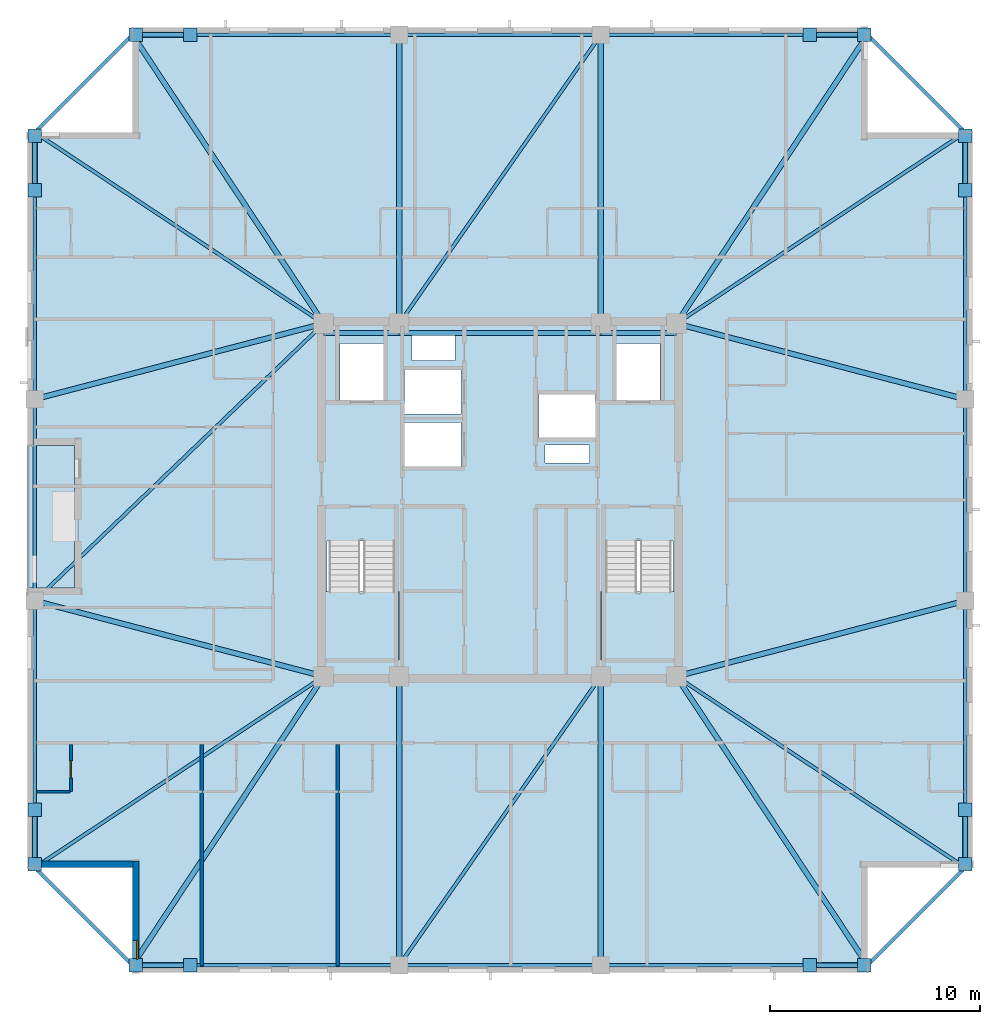
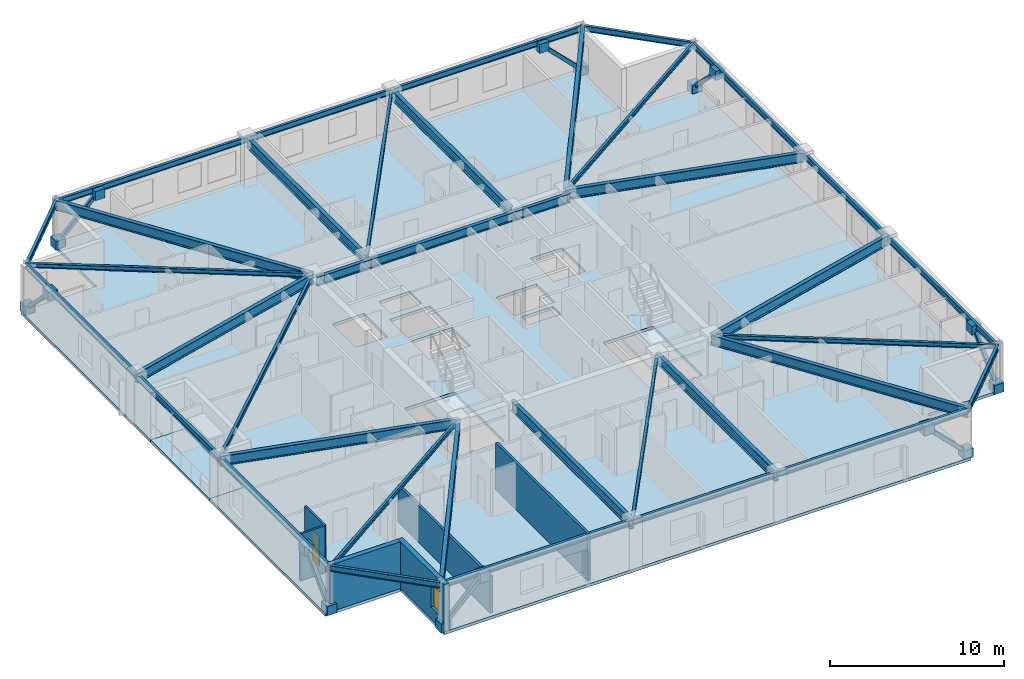
# One storey, part 6 of 17: 38 beams, 16 plates, 8 members, 6 walls, 4 slabs, 1 door, 1 window, 2 openings, 2 elements without a shape of their own.
"""IFC4 building model written with IfcOpenShell, lengths in metres."""

from ifc_helpers import new_model, si_unit, direction, frame, frame_2d, origin, origin_2d, place, context, subcontext, project, spatial, polyline, rectangle, hollow_rectangle, i_section, outline, extrude, material, layer, layer_set, material_profile, profile_set, type_object, element, fill, aggregate, save


model = new_model("IFC4")

# Units and contexts
model_context = context("Model", 3, precision=1e-05, world=origin(), true_north=direction((0.0, 1.0)))
body_context = subcontext(model_context, "Body", "Model", "MODEL_VIEW")
ifc_project = project(units=[si_unit("LENGTHUNIT", "METRE"), si_unit("AREAUNIT", "SQUARE_METRE"), si_unit("VOLUMEUNIT", "CUBIC_METRE"), si_unit("PLANEANGLEUNIT", "RADIAN"), si_unit("MASSUNIT", "GRAM", prefix="KILO")], contexts=[model_context])

# Site, building, storey
site_placement = place(None, origin())
site = spatial("IfcSite", under=ifc_project, at=site_placement, CompositionType="ELEMENT")
building_placement = place(site_placement, origin())
building = spatial("IfcBuilding", under=site, at=building_placement, Name="Cairnveth Concourse Tower", CompositionType="ELEMENT")
storey_placement = place(building_placement, frame((0.0, 0.0, 237.5)))
storey = spatial("IfcBuildingStorey", under=building, at=storey_placement, Name="L65", CompositionType="ELEMENT", Elevation=237.5)

# Beams
ifc_material_1 = material(Name="Steel Grade 350", Category="steel")
ifc_material_profile_1 = material_profile(ifc_material_1, i_section(OverallWidth=0.22802734375, OverallDepth=0.60693359375, WebThickness=0.01123046875, FlangeThickness=0.017333984375, FilletRadius=0.013916015625, at=origin_2d()), Name="610UB113")
ifc_profile_set_1 = profile_set([ifc_material_profile_1], Name="Steel Grade 350")
beam_type_1 = type_object("IfcBeamType", Name="CORE TIE BEAM 610UB113", PredefinedType="T_BEAM", material=ifc_profile_set_1)
for number, where, z_axis, x_axis, name in (
    (1, (43.60009765625, 46.949951171875, 2.986572265625), (1.0, 0.0, 0.0), (0.0, 1.0, 0.0), "Beam CT-N1 L65"),
    (2, (56.800048828125, 46.949951171875, 2.986572265625), (1.0, 0.0, 0.0), (0.0, 1.0, 0.0), "Beam CT-N3 L65"),
):
    element("IfcBeam", number, at=place(storey_placement, frame(where, z_axis=z_axis, x_axis=x_axis)), inside=storey, type_object=beam_type_1, Name=name, PredefinedType="T_BEAM", context=body_context, shape_type="SweptSolid", body=[
        extrude(i_section(OverallWidth=0.22802734375, OverallDepth=0.60693359375, WebThickness=0.01123046875, FlangeThickness=0.017333984375, FilletRadius=0.013916015625, at=origin_2d()), origin(), (0.0, 0.0, 1.0), 3.599853515625),
    ])
beam_1_placement = place(storey_placement, frame((47.199951171875, 46.949951171875, 2.986572265625), z_axis=(1.0, 0.0, 0.0), x_axis=(0.0, 1.0, 0.0)))
element("IfcBeam", 3, at=beam_1_placement, inside=storey, type_object=beam_type_1, Name="Beam CT-N2 L65", PredefinedType="T_BEAM", context=body_context, shape_type="SweptSolid", body=[
    extrude(i_section(OverallWidth=0.22802734375, OverallDepth=0.60693359375, WebThickness=0.01123046875, FlangeThickness=0.017333984375, FilletRadius=0.013916015625, at=origin_2d()), origin(), (0.0, 0.0, 1.0), 9.60009765625),
])
ifc_material_profile_2 = material_profile(ifc_material_1, i_section(OverallWidth=0.166015625, OverallDepth=0.306884765625, WebThickness=0.006591796875, FlangeThickness=0.01171875, FilletRadius=0.010986328125, at=origin_2d()), Name="310UB46.2")
ifc_profile_set_2 = profile_set([ifc_material_profile_2], Name="Steel Grade 350")
beam_type_2 = type_object("IfcBeamType", Name="ZONE 3 FLOOR JOIST 310UB46.2", PredefinedType="JOIST", material=ifc_profile_set_2)
for number, where, z_axis, x_axis, name in (
    (4, (29.85009765625, 21.5, 3.136474609375), (0.833908956207, 0.551902031848, 0.0), (-0.551902031848, 0.833908956207, 0.0), "Beam FJ-CSW2 L65"),
    (5, (74.14990234375, 21.5, 3.136474609375), (-0.833908956207, 0.551902031848, 0.0), (-0.551902031848, -0.833908956207, 0.0), "Beam FJ-CSE2 L65"),
    (6, (74.14990234375, 56.5, 3.136474609375), (-0.833908956207, -0.551902031848, 0.0), (0.551902031848, -0.833908956207, 0.0), "Beam FJ-CNE2 L65"),
    (7, (29.85009765625, 56.5, 3.136474609375), (0.833908956207, -0.551902031848, 0.0), (0.551902031848, 0.833908956207, 0.0), "Beam FJ-CNW2 L65"),
):
    element("IfcBeam", number, at=place(storey_placement, frame(where, z_axis=z_axis, x_axis=x_axis)), inside=storey, type_object=beam_type_2, Name=name, PredefinedType="JOIST", context=body_context, shape_type="SweptSolid", body=[
        extrude(i_section(OverallWidth=0.166015625, OverallDepth=0.306884765625, WebThickness=0.006591796875, FlangeThickness=0.01171875, FilletRadius=0.010986328125, at=origin_2d()), origin(), (0.0, 0.0, 1.0), 16.488525390625),
    ])
for number, where, z_axis, x_axis, name in (
    (8, (47.199951171875, 16.85009765625, 3.136474609375), (0.572465304893, 0.819928944905, 0.0), (-0.819928944905, 0.572465304893, 0.0), "Beam FJ-S-M1 L65"),
    (9, (47.199951171875, 47.39990234375, 3.136474609375), (0.572465304893, 0.819928944905, 0.0), (-0.819928944905, 0.572465304893, 0.0), "Beam FJ-N-M1 L65"),
):
    element("IfcBeam", number, at=place(storey_placement, frame(where, z_axis=z_axis, x_axis=x_axis)), inside=storey, type_object=beam_type_2, Name=name, PredefinedType="JOIST", context=body_context, shape_type="SweptSolid", body=[
        extrude(i_section(OverallWidth=0.166015625, OverallDepth=0.306884765625, WebThickness=0.006591796875, FlangeThickness=0.01171875, FilletRadius=0.010986328125, at=origin_2d()), origin(), (0.0, 0.0, 1.0), 16.769775390625),
    ])
beam_2_placement = place(storey_placement, frame((29.85009765625, 34.199951171875, 3.136474609375), z_axis=(0.721388600838, 0.692530495055, 0.0), x_axis=(-0.692530495055, 0.721388600838, 0.0)))
element("IfcBeam", 10, at=beam_2_placement, inside=storey, type_object=beam_type_2, Name="Beam FJ-W-M1 L65", PredefinedType="JOIST", context=body_context, shape_type="SweptSolid", body=[
    extrude(i_section(OverallWidth=0.166015625, OverallDepth=0.306884765625, WebThickness=0.006591796875, FlangeThickness=0.01171875, FilletRadius=0.010986328125, at=origin_2d()), origin(), (0.0, 0.0, 1.0), 19.060546875),
])

# Members
ifc_material_2 = material(Name="Steel C350L0 (350 MPa)", Category="steel")
ifc_material_profile_3 = material_profile(ifc_material_2, hollow_rectangle(XDim=0.25, YDim=0.25, WallThickness=0.012451171875, InnerFilletRadius=0.012939453125, OuterFilletRadius=0.02490234375, at=origin_2d()), Name="250x250x12.5SHS")
ifc_profile_set_3 = profile_set([ifc_material_profile_3], Name="Steel C350L0 (350 MPa)")
member_type = type_object("IfcMemberType", Name="ZONE 3 PIER BRACE 250X250X12.5SHS", PredefinedType="BRACE", material=ifc_profile_set_3)
for number, where, z_axis, x_axis, name in (
    (11, (34.64990234375, 16.85009765625, 0.25), (0.708469186186, 0.0, 0.705741746126), (0.0, 1.0, 0.0), "Structural Brace PB-S1 L65"),
    (12, (69.35009765625, 16.85009765625, 0.25), (-0.708469186186, 0.0, 0.705741746126), (0.0, -1.0, 0.0), "Structural Brace PB-S2 L65"),
    (13, (34.64990234375, 61.14990234375, 0.25), (0.708469186186, 0.0, 0.705741746126), (0.0, 1.0, 0.0), "Structural Brace PB-N1 L65"),
    (14, (69.35009765625, 61.14990234375, 0.25), (-0.708469186186, 0.0, 0.705741746126), (0.0, -1.0, 0.0), "Structural Brace PB-N2 L65"),
    (15, (29.85009765625, 21.64990234375, 0.25), (0.0, 0.708469186186, 0.705741746126), (-1.0, 0.0, 0.0), "Structural Brace PB-W1 L65"),
    (16, (29.85009765625, 56.35009765625, 0.25), (0.0, -0.708469186186, 0.705741746126), (1.0, 0.0, 0.0), "Structural Brace PB-W2 L65"),
    (17, (74.14990234375, 21.64990234375, 0.25), (0.0, 0.708469186186, 0.705741746126), (-1.0, 0.0, 0.0), "Structural Brace PB-E1 L65"),
    (18, (74.14990234375, 56.35009765625, 0.25), (0.0, -0.708469186186, 0.705741746126), (1.0, 0.0, 0.0), "Structural Brace PB-E2 L65"),
):
    element("IfcMember", number, at=place(storey_placement, frame(where, z_axis=z_axis, x_axis=x_axis)), inside=storey, type_object=member_type, Name=name, PredefinedType="BRACE", context=body_context, shape_type="SweptSolid", body=[
        extrude(hollow_rectangle(XDim=0.25, YDim=0.25, WallThickness=0.012451171875, InnerFilletRadius=0.012939453125, OuterFilletRadius=0.02490234375, at=origin_2d()), origin(), (0.0, 0.0, 1.0), 3.669921875),
    ])

# Beams
ifc_material_profile_4 = material_profile(ifc_material_1, i_section(OverallWidth=0.25, OverallDepth=0.69189453125, WebThickness=0.010009765625, FlangeThickness=0.02490234375, at=origin_2d()), Name="700WB150")
ifc_profile_set_4 = profile_set([ifc_material_profile_4], Name="Steel Grade 350")
beam_type_3 = type_object("IfcBeamType", Name="ZONE 3 RADIAL GIRDER 700WB150", PredefinedType="BEAM", material=ifc_profile_set_4)
for number, where, z_axis, x_axis, name in (
    (19, (47.199951171875, 16.85009765625, 2.944091796875), (0.0, 1.0, 0.0), (-1.0, 0.0, 0.0), "Beam RG-S1 L65"),
    (20, (56.800048828125, 16.85009765625, 2.944091796875), (0.0, 1.0, 0.0), (-1.0, 0.0, 0.0), "Beam RG-S2 L65"),
    (21, (47.199951171875, 47.39990234375, 2.944091796875), (0.0, 1.0, 0.0), (-1.0, 0.0, 0.0), "Beam RG-N1 L65"),
    (22, (56.800048828125, 47.39990234375, 2.944091796875), (0.0, 1.0, 0.0), (-1.0, 0.0, 0.0), "Beam RG-N2 L65"),
):
    element("IfcBeam", number, at=place(storey_placement, frame(where, z_axis=z_axis, x_axis=x_axis)), inside=storey, type_object=beam_type_3, Name=name, PredefinedType="BEAM", context=body_context, shape_type="SweptSolid", body=[
        extrude(i_section(OverallWidth=0.25, OverallDepth=0.69189453125, WebThickness=0.010009765625, FlangeThickness=0.02490234375, at=origin_2d()), origin(), (0.0, 0.0, 1.0), 13.75),
    ])
for number, where, z_axis, x_axis, name in (
    (23, (29.85009765625, 34.199951171875, 2.944091796875), (0.967395273598, -0.253271365575, 0.0), (0.253271365575, 0.967395273598, 0.0), "Beam RG-W1 L65"),
    (24, (29.85009765625, 43.800048828125, 2.944091796875), (0.967395273598, 0.253271365575, 0.0), (-0.253271365575, 0.967395273598, 0.0), "Beam RG-W2 L65"),
    (25, (60.39990234375, 30.60009765625, 2.944091796875), (0.967395273598, 0.253271365575, 0.0), (-0.253271365575, 0.967395273598, 0.0), "Beam RG-E1 L65"),
    (26, (60.39990234375, 47.39990234375, 2.944091796875), (0.967395273598, -0.253271365575, 0.0), (0.253271365575, 0.967395273598, 0.0), "Beam RG-E2 L65"),
):
    element("IfcBeam", number, at=place(storey_placement, frame(where, z_axis=z_axis, x_axis=x_axis)), inside=storey, type_object=beam_type_3, Name=name, PredefinedType="BEAM", context=body_context, shape_type="SweptSolid", body=[
        extrude(i_section(OverallWidth=0.25, OverallDepth=0.69189453125, WebThickness=0.010009765625, FlangeThickness=0.02490234375, at=origin_2d()), origin(), (0.0, 0.0, 1.0), 14.21337890625),
    ])
for number, where, z_axis, x_axis, name in (
    (27, (34.5, 16.85009765625, 2.944091796875), (0.551902031848, 0.833908956207, 0.0), (-0.833908956207, 0.551902031848, 0.0), "Beam RG-CSW L65"),
    (28, (69.5, 16.85009765625, 2.944091796875), (-0.551902031848, 0.833908956207, 0.0), (-0.833908956207, -0.551902031848, 0.0), "Beam RG-CSE L65"),
    (29, (69.5, 61.14990234375, 2.944091796875), (-0.551902031848, -0.833908956207, 0.0), (0.833908956207, -0.551902031848, 0.0), "Beam RG-CNE L65"),
    (30, (34.5, 61.14990234375, 2.944091796875), (0.551902031848, -0.833908956207, 0.0), (0.833908956207, 0.551902031848, 0.0), "Beam RG-CNW L65"),
):
    element("IfcBeam", number, at=place(storey_placement, frame(where, z_axis=z_axis, x_axis=x_axis)), inside=storey, type_object=beam_type_3, Name=name, PredefinedType="BEAM", context=body_context, shape_type="SweptSolid", body=[
        extrude(i_section(OverallWidth=0.25, OverallDepth=0.69189453125, WebThickness=0.010009765625, FlangeThickness=0.02490234375, at=origin_2d()), origin(), (0.0, 0.0, 1.0), 16.488525390625),
    ])
ifc_material_profile_5 = material_profile(ifc_material_1, i_section(OverallWidth=0.177978515625, OverallDepth=0.406005859375, WebThickness=0.0078125, FlangeThickness=0.0126953125, FilletRadius=0.010986328125, at=origin_2d()), Name="410UB59.7")
ifc_profile_set_5 = profile_set([ifc_material_profile_5], Name="Steel Grade 350")
beam_type_4 = type_object("IfcBeamType", Name="ZONE 3 SPANDREL BEAM 410UB59.7", PredefinedType="SPANDREL", material=ifc_profile_set_5)
beam_3_placement = place(storey_placement, frame((34.5, 16.85009765625, 3.0869140625), z_axis=(1.0, 0.0, 0.0), x_axis=(0.0, 1.0, 0.0)))
element("IfcBeam", 31, at=beam_3_placement, inside=storey, type_object=beam_type_4, Name="Beam SP-S1 L65", PredefinedType="SPANDREL", context=body_context, shape_type="SweptSolid", body=[
    extrude(i_section(OverallWidth=0.177978515625, OverallDepth=0.406005859375, WebThickness=0.0078125, FlangeThickness=0.0126953125, FilletRadius=0.010986328125, at=origin_2d()), origin(), (0.0, 0.0, 1.0), 12.699951171875),
])
beam_4_placement = place(storey_placement, frame((47.199951171875, 16.85009765625, 3.0869140625), z_axis=(1.0, 0.0, 0.0), x_axis=(0.0, 1.0, 0.0)))
element("IfcBeam", 32, at=beam_4_placement, inside=storey, type_object=beam_type_4, Name="Beam SP-S2 L65", PredefinedType="SPANDREL", context=body_context, shape_type="SweptSolid", body=[
    extrude(i_section(OverallWidth=0.177978515625, OverallDepth=0.406005859375, WebThickness=0.0078125, FlangeThickness=0.0126953125, FilletRadius=0.010986328125, at=origin_2d()), origin(), (0.0, 0.0, 1.0), 9.60009765625),
])
for number, where, z_axis, x_axis, name in (
    (33, (56.800048828125, 16.85009765625, 3.0869140625), (1.0, 0.0, 0.0), (0.0, 1.0, 0.0), "Beam SP-S3 L65"),
    (34, (34.5, 61.14990234375, 3.0869140625), (1.0, 0.0, 0.0), (0.0, 1.0, 0.0), "Beam SP-N1 L65"),
):
    element("IfcBeam", number, at=place(storey_placement, frame(where, z_axis=z_axis, x_axis=x_axis)), inside=storey, type_object=beam_type_4, Name=name, PredefinedType="SPANDREL", context=body_context, shape_type="SweptSolid", body=[
        extrude(i_section(OverallWidth=0.177978515625, OverallDepth=0.406005859375, WebThickness=0.0078125, FlangeThickness=0.0126953125, FilletRadius=0.010986328125, at=origin_2d()), origin(), (0.0, 0.0, 1.0), 12.699951171875),
    ])
beam_5_placement = place(storey_placement, frame((47.199951171875, 61.14990234375, 3.0869140625), z_axis=(1.0, 0.0, 0.0), x_axis=(0.0, 1.0, 0.0)))
element("IfcBeam", 35, at=beam_5_placement, inside=storey, type_object=beam_type_4, Name="Beam SP-N2 L65", PredefinedType="SPANDREL", context=body_context, shape_type="SweptSolid", body=[
    extrude(i_section(OverallWidth=0.177978515625, OverallDepth=0.406005859375, WebThickness=0.0078125, FlangeThickness=0.0126953125, FilletRadius=0.010986328125, at=origin_2d()), origin(), (0.0, 0.0, 1.0), 9.60009765625),
])
for number, where, z_axis, x_axis, name in (
    (36, (56.800048828125, 61.14990234375, 3.0869140625), (1.0, 0.0, 0.0), (0.0, 1.0, 0.0), "Beam SP-N3 L65"),
    (37, (29.85009765625, 21.5, 3.0869140625), (0.0, 1.0, 0.0), (-1.0, 0.0, 0.0), "Beam SP-W1 L65"),
):
    element("IfcBeam", number, at=place(storey_placement, frame(where, z_axis=z_axis, x_axis=x_axis)), inside=storey, type_object=beam_type_4, Name=name, PredefinedType="SPANDREL", context=body_context, shape_type="SweptSolid", body=[
        extrude(i_section(OverallWidth=0.177978515625, OverallDepth=0.406005859375, WebThickness=0.0078125, FlangeThickness=0.0126953125, FilletRadius=0.010986328125, at=origin_2d()), origin(), (0.0, 0.0, 1.0), 12.699951171875),
    ])
beam_6_placement = place(storey_placement, frame((29.85009765625, 34.199951171875, 3.0869140625), z_axis=(0.0, 1.0, 0.0), x_axis=(-1.0, 0.0, 0.0)))
element("IfcBeam", 38, at=beam_6_placement, inside=storey, type_object=beam_type_4, Name="Beam SP-W2 L65", PredefinedType="SPANDREL", context=body_context, shape_type="SweptSolid", body=[
    extrude(i_section(OverallWidth=0.177978515625, OverallDepth=0.406005859375, WebThickness=0.0078125, FlangeThickness=0.0126953125, FilletRadius=0.010986328125, at=origin_2d()), origin(), (0.0, 0.0, 1.0), 9.60009765625),
])
for number, where, z_axis, x_axis, name in (
    (39, (29.85009765625, 43.800048828125, 3.0869140625), (0.0, 1.0, 0.0), (-1.0, 0.0, 0.0), "Beam SP-W3 L65"),
    (40, (74.14990234375, 21.5, 3.0869140625), (0.0, 1.0, 0.0), (-1.0, 0.0, 0.0), "Beam SP-E1 L65"),
):
    element("IfcBeam", number, at=place(storey_placement, frame(where, z_axis=z_axis, x_axis=x_axis)), inside=storey, type_object=beam_type_4, Name=name, PredefinedType="SPANDREL", context=body_context, shape_type="SweptSolid", body=[
        extrude(i_section(OverallWidth=0.177978515625, OverallDepth=0.406005859375, WebThickness=0.0078125, FlangeThickness=0.0126953125, FilletRadius=0.010986328125, at=origin_2d()), origin(), (0.0, 0.0, 1.0), 12.699951171875),
    ])
beam_7_placement = place(storey_placement, frame((74.14990234375, 34.199951171875, 3.0869140625), z_axis=(0.0, 1.0, 0.0), x_axis=(-1.0, 0.0, 0.0)))
element("IfcBeam", 41, at=beam_7_placement, inside=storey, type_object=beam_type_4, Name="Beam SP-E2 L65", PredefinedType="SPANDREL", context=body_context, shape_type="SweptSolid", body=[
    extrude(i_section(OverallWidth=0.177978515625, OverallDepth=0.406005859375, WebThickness=0.0078125, FlangeThickness=0.0126953125, FilletRadius=0.010986328125, at=origin_2d()), origin(), (0.0, 0.0, 1.0), 9.60009765625),
])
beam_8_placement = place(storey_placement, frame((74.14990234375, 43.800048828125, 3.0869140625), z_axis=(0.0, 1.0, 0.0), x_axis=(-1.0, 0.0, 0.0)))
element("IfcBeam", 42, at=beam_8_placement, inside=storey, type_object=beam_type_4, Name="Beam SP-E3 L65", PredefinedType="SPANDREL", context=body_context, shape_type="SweptSolid", body=[
    extrude(i_section(OverallWidth=0.177978515625, OverallDepth=0.406005859375, WebThickness=0.0078125, FlangeThickness=0.0126953125, FilletRadius=0.010986328125, at=origin_2d()), origin(), (0.0, 0.0, 1.0), 12.699951171875),
])
for number, where, z_axis, x_axis, name in (
    (43, (29.85009765625, 21.5, 3.0869140625), (0.707106781187, -0.707106781187, 0.0), (0.707106781187, 0.707106781187, 0.0), "Beam SP-SW L65"),
    (44, (69.5, 16.85009765625, 3.0869140625), (0.707106781187, 0.707106781187, 0.0), (-0.707106781187, 0.707106781187, 0.0), "Beam SP-SE L65"),
    (45, (69.5, 61.14990234375, 3.0869140625), (0.707106781187, -0.707106781187, 0.0), (0.707106781187, 0.707106781187, 0.0), "Beam SP-NE L65"),
    (46, (29.85009765625, 56.5, 3.0869140625), (0.707106781187, 0.707106781187, 0.0), (-0.707106781187, 0.707106781187, 0.0), "Beam SP-NW L65"),
):
    element("IfcBeam", number, at=place(storey_placement, frame(where, z_axis=z_axis, x_axis=x_axis)), inside=storey, type_object=beam_type_4, Name=name, PredefinedType="SPANDREL", context=body_context, shape_type="SweptSolid", body=[
        extrude(i_section(OverallWidth=0.177978515625, OverallDepth=0.406005859375, WebThickness=0.0078125, FlangeThickness=0.0126953125, FilletRadius=0.010986328125, at=origin_2d()), origin(), (0.0, 0.0, 1.0), 6.575927734375),
    ])

# Plates
ifc_layer_1 = layer(ifc_material_1, 0.031982421875)
ifc_layer_set_1 = layer_set([ifc_layer_1], Name="Steel Grade 350")
plate_type = type_object("IfcPlateType", Name="PERIMETER BRACE GUSSET PLATE 32", PredefinedType="USERDEFINED", material=ifc_layer_set_1)
for number, where, z_axis, x_axis, name in (
    (47, (34.64990234375, 16.85009765625, -0.06982421875), (0.0, 0.0, 1.0), (1.0, 0.0, 0.0), "Structural Node Plate 1125 L65"),
    (48, (37.25, 16.85009765625, 2.52001953125), (0.0, 0.0, 1.0), (1.0, 0.0, 0.0), "Structural Node Plate 1126 L65"),
    (49, (69.35009765625, 16.85009765625, -0.06982421875), (0.0, 0.0, 1.0), (1.0, 0.0, 0.0), "Structural Node Plate 1127 L65"),
    (50, (66.75, 16.85009765625, 2.52001953125), (0.0, 0.0, 1.0), (1.0, 0.0, 0.0), "Structural Node Plate 1128 L65"),
    (51, (34.64990234375, 61.14990234375, -0.06982421875), (0.0, 0.0, 1.0), (1.0, 0.0, 0.0), "Structural Node Plate 1129 L65"),
    (52, (37.25, 61.14990234375, 2.52001953125), (0.0, 0.0, 1.0), (1.0, 0.0, 0.0), "Structural Node Plate 1130 L65"),
    (53, (69.35009765625, 61.14990234375, -0.06982421875), (0.0, 0.0, 1.0), (1.0, 0.0, 0.0), "Structural Node Plate 1131 L65"),
    (54, (66.75, 61.14990234375, 2.52001953125), (0.0, 0.0, 1.0), (1.0, 0.0, 0.0), "Structural Node Plate 1132 L65"),
    (55, (29.85009765625, 21.64990234375, -0.06982421875), (0.0, 0.0, 1.0), (1.0, 0.0, 0.0), "Structural Node Plate 1133 L65"),
    (56, (29.85009765625, 24.25, 2.52001953125), (0.0, 0.0, 1.0), (1.0, 0.0, 0.0), "Structural Node Plate 1134 L65"),
    (57, (29.85009765625, 56.35009765625, -0.06982421875), (0.0, 0.0, 1.0), (1.0, 0.0, 0.0), "Structural Node Plate 1135 L65"),
    (58, (29.85009765625, 53.75, 2.52001953125), (0.0, 0.0, 1.0), (1.0, 0.0, 0.0), "Structural Node Plate 1136 L65"),
    (59, (74.14990234375, 21.64990234375, -0.06982421875), (0.0, 0.0, 1.0), (1.0, 0.0, 0.0), "Structural Node Plate 1137 L65"),
    (60, (74.14990234375, 24.25, 2.52001953125), (0.0, 0.0, 1.0), (1.0, 0.0, 0.0), "Structural Node Plate 1138 L65"),
    (61, (74.14990234375, 56.35009765625, -0.06982421875), (0.0, 0.0, 1.0), (1.0, 0.0, 0.0), "Structural Node Plate 1139 L65"),
    (62, (74.14990234375, 53.75, 2.52001953125), (0.0, 0.0, 1.0), (1.0, 0.0, 0.0), "Structural Node Plate 1140 L65"),
):
    element("IfcPlate", number, at=place(storey_placement, frame(where, z_axis=z_axis, x_axis=x_axis)), inside=storey, type_object=plate_type, Name=name, ObjectType="GUSSET PLATE", PredefinedType="USERDEFINED", context=body_context, shape_type="SweptSolid", body=[
        extrude(rectangle(XDim=0.639892578125, YDim=0.639892578125, at=origin_2d()), origin(), (0.0, 0.0, 1.0), 0.639892578125),
    ])

# Slab
ifc_material_3 = material(Name="Concrete N50 (50 MPa)", Category="concrete")
ifc_layer_2 = layer(ifc_material_3, 0.18994140625)
ifc_layer_set_2 = layer_set([ifc_layer_2], Name="Concrete N50 (50 MPa)")
slab_type_1 = type_object("IfcSlabType", Name="SPIRAL OUTDOOR TERRACE SLAB 190", PredefinedType="FLOOR", material=ifc_layer_set_2)
slab_1_placement = place(storey_placement, frame((0.0, 0.0, -0.18994140625)))
element("IfcSlab", 63, at=slab_1_placement, inside=storey, type_object=slab_type_1, Name="Spiral Terrace Slab L65", PredefinedType="FLOOR", context=body_context, shape_type="SweptSolid", body=[
    extrude(outline(polyline([(29.5, 34.800048828125), (31.75, 34.800048828125), (31.75, 41.60009765625), (29.5, 41.60009765625), (29.5, 34.800048828125)])), origin(), (0.0, 0.0, 1.0), 0.18994140625),
])

# Stair, slab
ifc_material_4 = material(Name="Precast concrete N50 (50 MPa)", Category="concrete")
stair_type = type_object("IfcStairType", Name="CORE DOG-LEG FIRE STAIR 1500", PredefinedType="HALF_TURN_STAIR", material=ifc_material_4)
stair_1_placement = place(storey_placement, origin())
stair_1 = element("IfcStair", 64, at=stair_1_placement, inside=storey, type_object=stair_type, Name="L65 Fire-Isolated Stair ST-1", PredefinedType="HALF_TURN_STAIR")
ifc_layer_3 = layer(ifc_material_3, 0.199951171875)
ifc_layer_set_3 = layer_set([ifc_layer_3], Name="Concrete N50 (50 MPa)")
slab_type_2 = type_object("IfcSlabType", Name="STAIR HALF LANDING SLAB 200", PredefinedType="LANDING", material=ifc_layer_set_3)
slab_2_placement = place(storey_placement, frame((0.0, 0.0, 1.550048828125)))
slab_2 = element("IfcSlab", 65, at=slab_2_placement, type_object=slab_type_2, Name="ST-1 landing 1", PredefinedType="LANDING", context=body_context, shape_type="SweptSolid", body=[
    extrude(outline(polyline([(43.6201171875, 34.639892578125), (43.6201171875, 31.3701171875), (47.199951171875, 31.3701171875), (47.199951171875, 34.639892578125), (43.6201171875, 34.639892578125)])), origin(), (0.0, 0.0, 1.0), 0.199951171875),
])
aggregate(stair_1, [slab_2])

stair_2_placement = place(storey_placement, origin())
stair_2 = element("IfcStair", 66, at=stair_2_placement, inside=storey, type_object=stair_type, Name="L65 Fire-Isolated Stair ST-2", PredefinedType="HALF_TURN_STAIR")
slab_3_placement = place(storey_placement, frame((0.0, 0.0, 1.550048828125)))
slab_3 = element("IfcSlab", 67, at=slab_3_placement, type_object=slab_type_2, Name="ST-2 landing 1", PredefinedType="LANDING", context=body_context, shape_type="SweptSolid", body=[
    extrude(outline(polyline([(56.800048828125, 34.639892578125), (56.800048828125, 31.3701171875), (60.3798828125, 31.3701171875), (60.3798828125, 34.639892578125), (56.800048828125, 34.639892578125)])), origin(), (0.0, 0.0, 1.0), 0.199951171875),
])
aggregate(stair_2, [slab_3])

# Slab
ifc_layer_4 = layer(ifc_material_3, 0.2099609375)
ifc_layer_set_4 = layer_set([ifc_layer_4], Name="Concrete N50 (50 MPa)")
slab_type_3 = type_object("IfcSlabType", Name="UPPER TOWER COMPOSITE SLAB 210", PredefinedType="FLOOR", material=ifc_layer_set_4)
slab_4_placement = place(storey_placement, frame((0.0, 0.0, -0.2099609375)))
element("IfcSlab", 68, at=slab_4_placement, inside=storey, type_object=slab_type_3, Name="Tower Floor Slab L65", PredefinedType="FLOOR", context=body_context, shape_type="SweptSolid", body=[
    extrude(outline(polyline([(29.5, 41.60009765625), (31.75, 41.60009765625), (31.75, 34.800048828125), (29.5, 34.800048828125), (29.5, 21.5), (34.5, 21.5), (34.5, 16.5), (69.5, 16.5), (69.5, 21.5), (74.5, 21.5), (74.5, 56.5), (69.5, 56.5), (69.5, 61.5), (34.5, 61.5), (34.5, 56.5), (29.5, 56.5), (29.5, 41.60009765625)]), holes=[polyline([(43.760009765625, 31.360107421875), (47.06005859375, 31.360107421875), (47.06005859375, 37.0400390625), (43.760009765625, 37.0400390625), (43.760009765625, 31.360107421875)]), polyline([(56.93994140625, 31.360107421875), (60.239990234375, 31.360107421875), (60.239990234375, 37.0400390625), (56.93994140625, 37.0400390625), (56.93994140625, 31.360107421875)]), polyline([(44.3701171875, 43.75), (46.469970703125, 43.75), (46.469970703125, 46.449951171875), (44.3701171875, 46.449951171875), (44.3701171875, 43.75)]), polyline([(57.530029296875, 43.75), (59.6298828125, 43.75), (59.6298828125, 46.449951171875), (57.530029296875, 46.449951171875), (57.530029296875, 43.75)]), polyline([(47.449951171875, 40.60009765625), (50.14990234375, 40.60009765625), (50.14990234375, 42.699951171875), (47.449951171875, 42.699951171875), (47.449951171875, 40.60009765625)]), polyline([(47.449951171875, 43.10009765625), (50.14990234375, 43.10009765625), (50.14990234375, 45.199951171875), (47.449951171875, 45.199951171875), (47.449951171875, 43.10009765625)]), polyline([(53.85009765625, 41.949951171875), (56.550048828125, 41.949951171875), (56.550048828125, 44.050048828125), (53.85009765625, 44.050048828125), (53.85009765625, 41.949951171875)]), polyline([(47.800048828125, 45.64990234375), (49.85009765625, 45.64990234375), (49.85009765625, 47.050048828125), (47.800048828125, 47.050048828125), (47.800048828125, 45.64990234375)]), polyline([(54.14990234375, 40.75), (56.25, 40.75), (56.25, 41.6201171875), (54.14990234375, 41.6201171875), (54.14990234375, 40.75)])]), origin(), (0.0, 0.0, 1.0), 0.2099609375),
])

# Walls
ifc_material_5 = material(Name="Gypsum Plasterboard Partition", Category="gypsum")
ifc_layer_5 = layer(ifc_material_5, 0.159912109375)
ifc_layer_set_5 = layer_set([ifc_layer_5], Name="Gypsum Plasterboard Partition")
wall_type_1 = type_object("IfcWallType", Name="ACOUSTIC PARTY WALL 180", PredefinedType="PARTITIONING", material=ifc_layer_set_5)
wall_1_placement = place(storey_placement, frame((37.800048828125, 16.804931640625, 0.0), z_axis=(0.0, 0.0, 1.0), x_axis=(0.0, 1.0, 0.0)))
element("IfcWall", 69, at=wall_1_placement, inside=storey, type_object=wall_type_1, Name="Interior Wall IW-L65-048", PredefinedType="PARTITIONING", context=body_context, shape_type="SweptSolid", body=[
    extrude(rectangle(XDim=10.5576171875, YDim=0.159912109375, at=frame_2d((5.27880859375, 0.0))), origin(), (0.0, 0.0, 1.0), 2.572998046875),
])
wall_2_placement = place(storey_placement, frame((44.280029296875, 16.804931640625, 0.0), z_axis=(0.0, 0.0, 1.0), x_axis=(0.0, 1.0, 0.0)))
element("IfcWall", 70, at=wall_2_placement, inside=storey, type_object=wall_type_1, Name="Interior Wall IW-L65-053", PredefinedType="PARTITIONING", context=body_context, shape_type="SweptSolid", body=[
    extrude(rectangle(XDim=10.5576171875, YDim=0.159912109375, at=frame_2d((5.27880859375, 0.0))), origin(), (0.0, 0.0, 1.0), 3.2900390625),
])

# Wall, opening, door
ifc_layer_6 = layer(ifc_material_5, 0.1298828125)
ifc_layer_set_6 = layer_set([ifc_layer_6], Name="Gypsum Plasterboard Partition")
wall_type_2 = type_object("IfcWallType", Name="WET AREA PARTITION 140", PredefinedType="PLUMBINGWALL", material=ifc_layer_set_6)
wall_3_placement = place(storey_placement, frame((31.570068359375, 25.112548828125, 0.0), z_axis=(0.0, 0.0, 1.0), x_axis=(0.0, 1.0, 0.0)))
wall_3 = element("IfcWall", 71, at=wall_3_placement, inside=storey, type_object=wall_type_2, Name="Interior Wall IW-L65-044", PredefinedType="PLUMBINGWALL", context=body_context, shape_type="SweptSolid", body=[
    extrude(rectangle(XDim=2.25, YDim=0.1298828125, at=frame_2d((1.125, 0.0))), origin(), (0.0, 0.0, 1.0), 3.2900390625),
])
opening_1_placement = place(wall_3_placement, frame((0.64990234375, 0.0, 0.0)))
opening_1 = element("IfcOpeningElement", 72, at=opening_1_placement, cuts=wall_3, Name="Opening ID22", PredefinedType="OPENING", context=body_context, shape_type="SweptSolid", body=[
    extrude(rectangle(XDim=0.820068359375, YDim=2.10009765625, at=frame_2d((0.41015625, 1.050048828125))), frame((0.0, 0.074951171875, 0.0), z_axis=(0.0, -1.0, 0.0), x_axis=(1.0, 0.0, 0.0)), (0.0, 0.0, 1.0), 0.14990234375),
])
ifc_material_6 = material(Name="Solid Core Hardwood Timber Leaf", Category="wood")
door_type = type_object("IfcDoorType", Name="INTERIOR WC DOOR 820X2100", OperationType="NOTDEFINED", PredefinedType="DOOR", material=ifc_material_6)
door_placement = place(opening_1_placement, origin())
door = element("IfcDoor", 73, at=door_placement, inside=storey, type_object=door_type, Name="L65STS1 Bathroom Door", OperationType="SINGLE_SWING_LEFT", OverallHeight=2.10009765625, OverallWidth=0.820068359375, PredefinedType="DOOR", context=body_context, shape_type="SweptSolid", body=[
    extrude(rectangle(XDim=0.820068359375, YDim=2.10009765625, at=frame_2d((0.41015625, 1.050048828125))), frame((0.0, 0.02490234375, 0.0), z_axis=(0.0, -1.0, 0.0), x_axis=(1.0, 0.0, 0.0)), (0.0, 0.0, 1.0), 0.050048828125),
])
fill(opening_1, door)

# Wall
wall_4_placement = place(storey_placement, frame((29.919921875, 25.112548828125, 0.0), z_axis=(0.0, 0.0, 1.0), x_axis=(1.0, 0.0, 0.0)))
element("IfcWall", 74, at=wall_4_placement, inside=storey, type_object=wall_type_2, Name="Interior Wall IW-L65-045", PredefinedType="PLUMBINGWALL", context=body_context, shape_type="SweptSolid", body=[
    extrude(rectangle(XDim=1.60009765625, YDim=0.1298828125, at=frame_2d((0.800048828125, 0.0))), origin(), (0.0, 0.0, 1.0), 3.2900390625),
])

# Wall, opening, window
ifc_material_7 = material(Name="Melbourne Buff Fired Clay Brick Masonry", Category="masonry")
ifc_layer_7 = layer(ifc_material_7, 0.320068359375)
ifc_layer_set_7 = layer_set([ifc_layer_7], Name="Melbourne Buff Fired Clay Brick Masonry")
wall_type_3 = type_object("IfcWallType", Name="ZONE 3 BRICK PIER SPANDREL WALL 320", PredefinedType="SOLIDWALL", material=ifc_layer_set_7)
wall_5_placement = place(storey_placement, frame((34.659912109375, 16.5, 0.0), z_axis=(0.0, 0.0, 1.0), x_axis=(0.0, 1.0, 0.0)))
wall_5 = element("IfcWall", 75, at=wall_5_placement, inside=storey, type_object=wall_type_3, Name="Exterior Wall EW-L65-S10", PredefinedType="SOLIDWALL", context=body_context, shape_type="SweptSolid", body=[
    extrude(rectangle(XDim=5.320068359375, YDim=0.320068359375, at=frame_2d((2.66015625, 0.0))), origin(), (0.0, 0.0, 1.0), 3.2900390625),
])
opening_2_placement = place(wall_5_placement, frame((0.6298828125, 0.0, 0.800048828125)))
opening_2 = element("IfcOpeningElement", 76, at=opening_2_placement, cuts=wall_5, Name="Opening W13", PredefinedType="OPENING", context=body_context, shape_type="SweptSolid", body=[
    extrude(rectangle(XDim=0.89990234375, YDim=1.677978515625, at=frame_2d((0.449951171875, 0.8388671875))), frame((0.0, 0.169921875, 0.0), z_axis=(0.0, -1.0, 0.0), x_axis=(1.0, 0.0, 0.0)), (0.0, 0.0, 1.0), 0.340087890625),
])
ifc_material_8 = material(Name="Double Glazed Low-E Clear Glass", Category="glass")
window_type = type_object("IfcWindowType", Name="DEEP-SET BEDROOM LANCET WINDOW 900X1750", PartitioningType="DOUBLE_PANEL_VERTICAL", PredefinedType="WINDOW", material=ifc_material_8)
window_placement = place(opening_2_placement, origin())
window = element("IfcWindow", 77, at=window_placement, inside=storey, type_object=window_type, Name="Dwelling Lancet Window L65-DW1", OverallHeight=1.677978515625, OverallWidth=0.89990234375, PartitioningType="SINGLE_PANEL", PredefinedType="WINDOW", context=body_context, shape_type="SweptSolid", body=[
    extrude(rectangle(XDim=0.89990234375, YDim=1.677978515625, at=frame_2d((0.449951171875, 0.8388671875))), frame((0.0, -0.0400390625, 0.0), z_axis=(0.0, -1.0, 0.0), x_axis=(1.0, 0.0, 0.0)), (0.0, 0.0, 1.0), 0.06005859375),
])
fill(opening_2, window)

# Wall
wall_6_placement = place(storey_placement, frame((34.52197265625, 21.659912109375, 0.0), z_axis=(0.0, 0.0, 1.0), x_axis=(-1.0, 0.0, 0.0)))
element("IfcWall", 78, at=wall_6_placement, inside=storey, type_object=wall_type_3, Name="Exterior Wall EW-L65-S11", PredefinedType="SOLIDWALL", context=body_context, shape_type="SweptSolid", body=[
    extrude(rectangle(XDim=4.723876953125, YDim=0.320068359375, at=frame_2d((2.36181640625, 0.0))), origin(), (0.0, 0.0, 1.0), 3.2900390625),
])

save(model, "model.ifc")
